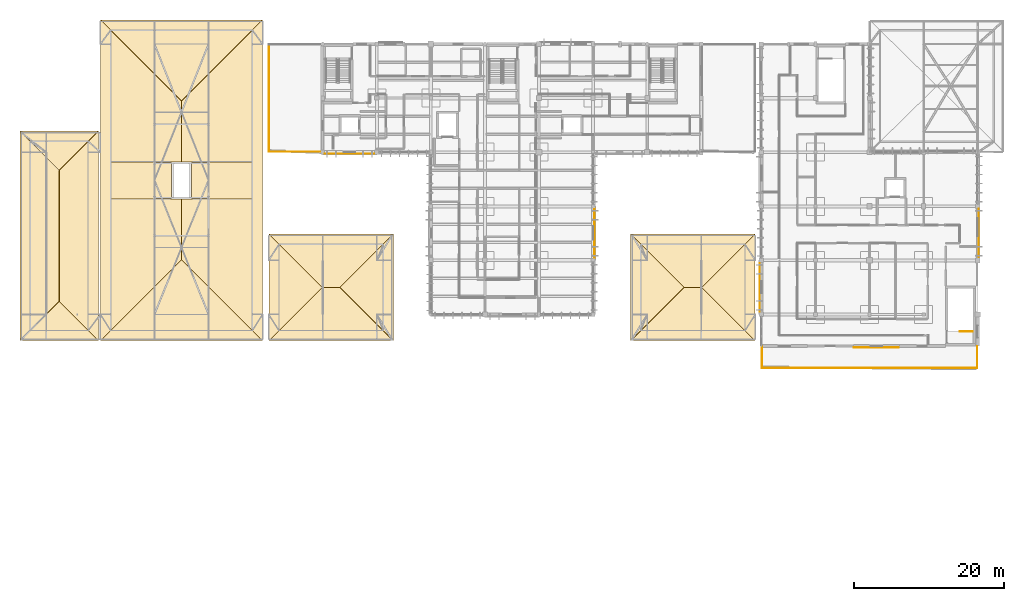
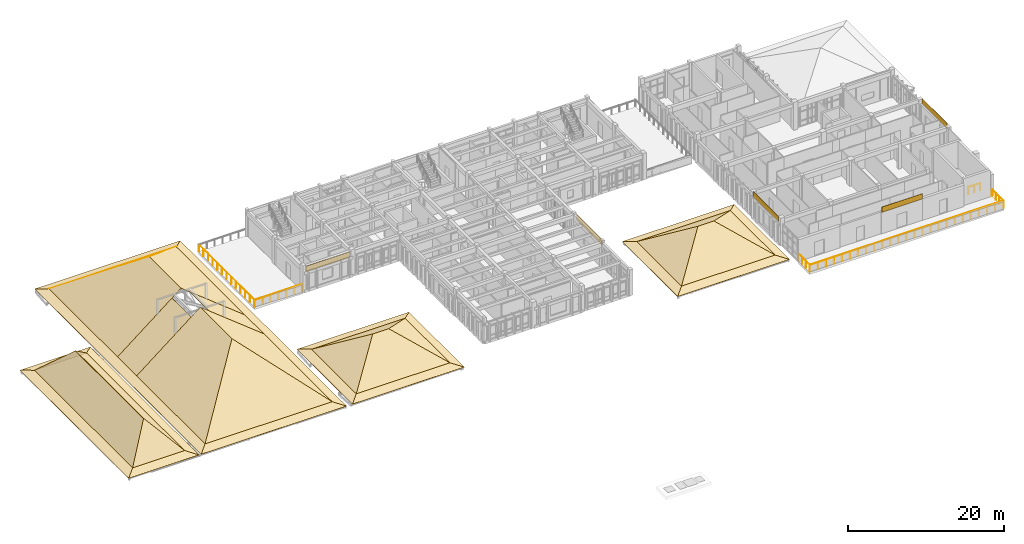
# One storey, part 48 of 51: 41 coverings, 6 railings.
"""IFC4 building model written with IfcOpenShell, lengths in metres."""

from ifc_helpers import new_model, si_unit, direction, frame, origin, origin_2d, place, context, subcontext, project, spatial, polyline, rectangle, circle, outline, extrude, material, layer, layer_set, type_object, element, save


model = new_model("IFC4")

# Units and contexts
model_context = context("Model", 3, precision=1e-05, world=origin(), true_north=direction((0.0, 1.0)))
body_context = subcontext(model_context, "Body", "Model", "MODEL_VIEW")
ifc_project = project(units=[si_unit("LENGTHUNIT", "METRE"), si_unit("AREAUNIT", "SQUARE_METRE"), si_unit("VOLUMEUNIT", "CUBIC_METRE"), si_unit("PLANEANGLEUNIT", "RADIAN"), si_unit("MASSUNIT", "GRAM", prefix="KILO")], contexts=[model_context])

# Site, building, storey
site_placement = place(None, origin())
site = spatial("IfcSite", under=ifc_project, at=site_placement, CompositionType="ELEMENT")
building_placement = place(site_placement, origin())
building = spatial("IfcBuilding", under=site, at=building_placement, Name="Steenspoor Specialist Clinic", CompositionType="ELEMENT")
storey_placement = place(building_placement, frame((0.0, 0.0, 17.39990234375)))
storey = spatial("IfcBuildingStorey", under=building, at=storey_placement, Name="L04", CompositionType="ELEMENT", Elevation=17.39990234375)

# Coverings
ifc_material_1 = material(Name="Glulam GL28h timber screen louvre cladding", Category="wood")
ifc_layer_1 = layer(ifc_material_1, 0.044921875)
ifc_layer_set_1 = layer_set([ifc_layer_1], Name="Glulam GL28h timber screen louvre cladding")
covering_type_1 = type_object("IfcCoveringType", Name="COV-CLAD-TIMBER", PredefinedType="CLADDING", material=ifc_layer_set_1)
covering_1_placement = place(storey_placement, frame((63.16259765625, 93.75, 3.0849609375), z_axis=(0.0, 0.0, 1.0), x_axis=(-1.0, 0.0, 0.0)))
element("IfcCovering", 1, at=covering_1_placement, inside=storey, type_object=covering_type_1, Name="Spandrel Cladding 56", PredefinedType="CLADDING", context=body_context, shape_type="SweptSolid", body=[
    extrude(rectangle(XDim=6.554931640625, YDim=0.0400390625, at=origin_2d()), origin(), (0.0, 0.0, 1.0), 0.840087890625),
])
covering_2_placement = place(storey_placement, frame((95.800048828125, 83.16259765625, 3.0849609375), z_axis=(0.0, 0.0, 1.0), x_axis=(0.0, -1.0, 0.0)))
element("IfcCovering", 2, at=covering_2_placement, inside=storey, type_object=covering_type_1, Name="Spandrel Cladding 60", PredefinedType="CLADDING", context=body_context, shape_type="SweptSolid", body=[
    extrude(rectangle(XDim=6.60498046875, YDim=0.0400390625, at=origin_2d()), origin(), (0.0, 0.0, 1.0), 0.840087890625),
])
covering_3_placement = place(storey_placement, frame((146.93994140625, 83.16259765625, 3.365234375), z_axis=(0.0, 0.0, 1.0), x_axis=(0.0, -1.0, 0.0)))
element("IfcCovering", 3, at=covering_3_placement, inside=storey, type_object=covering_type_1, Name="Spandrel Cladding 95", PredefinedType="CLADDING", context=body_context, shape_type="SweptSolid", body=[
    extrude(rectangle(XDim=6.455078125, YDim=0.0400390625, at=origin_2d()), origin(), (0.0, 0.0, 1.0), 0.840087890625),
])
covering_4_placement = place(storey_placement, frame((133.3125, 67.949951171875, 3.365234375), z_axis=(0.0, 0.0, 1.0), x_axis=(-1.0, 0.0, 0.0)))
element("IfcCovering", 4, at=covering_4_placement, inside=storey, type_object=covering_type_1, Name="Spandrel Cladding 96", PredefinedType="CLADDING", context=body_context, shape_type="SweptSolid", body=[
    extrude(rectangle(XDim=6.0048828125, YDim=0.0400390625, at=origin_2d()), origin(), (0.0, 0.0, 1.0), 0.840087890625),
])
covering_5_placement = place(storey_placement, frame((117.784912109375, 75.949951171875, 3.365234375), z_axis=(0.0, 0.0, 1.0), x_axis=(0.0, 1.0, 0.0)))
element("IfcCovering", 5, at=covering_5_placement, inside=storey, type_object=covering_type_1, Name="Spandrel Cladding 97", PredefinedType="CLADDING", context=body_context, shape_type="SweptSolid", body=[
    extrude(rectangle(XDim=6.47998046875, YDim=0.0400390625, at=origin_2d()), origin(), (0.0, 0.0, 1.0), 0.840087890625),
])
ifc_material_2 = material(Name="Extruded terracotta clay roof tile", Category="masonry")
ifc_layer_2 = layer(ifc_material_2, 0.044921875)
ifc_layer_set_2 = layer_set([ifc_layer_2], Name="Extruded terracotta clay roof tile")
covering_type_2 = type_object("IfcCoveringType", Name="COV-ROOF-TILE", PredefinedType="ROOFING", material=ifc_layer_set_2)
covering_6_placement = place(storey_placement, frame((52.429931640625, 68.85009765625, 0.048095703125), z_axis=(0.0, -0.241998799207, 0.970276548816), x_axis=(1.0, 0.0, 0.0)))
element("IfcCovering", 6, at=covering_6_placement, inside=storey, type_object=covering_type_2, Name="Clay Tile Roofing V4T2W SKS", PredefinedType="ROOFING", context=body_context, shape_type="SweptSolid", body=[
    extrude(outline(polyline([(0.0, 0.0), (16.570068359375, 0.0), (15.219970703125, 1.3912049273706915), (1.35009765625, 1.3912049273706915), (0.0, 0.0)])), origin(), (0.0, 0.0, -1.0), 0.044921875),
])
covering_7_placement = place(storey_placement, frame((69.0, 83.050048828125, 0.048095703125), z_axis=(0.0, 0.241957600267, 0.970286823405), x_axis=(-1.0, 0.0, 0.0)))
element("IfcCovering", 7, at=covering_7_placement, inside=storey, type_object=covering_type_2, Name="Clay Tile Roofing V4T2W SKN", PredefinedType="ROOFING", context=body_context, shape_type="SweptSolid", body=[
    extrude(outline(polyline([(0.0, 0.0), (16.570068359375, 0.0), (15.219970703125, 1.3914418125480712), (1.35009765625, 1.3914418125480712), (0.0, 0.0)])), origin(), (0.0, 0.0, -1.0), 0.044921875),
])
covering_8_placement = place(storey_placement, frame((52.429931640625, 83.050048828125, 0.048095703125), z_axis=(-0.241957600267, 0.0, 0.970286823405), x_axis=(0.0, -1.0, 0.0)))
element("IfcCovering", 8, at=covering_8_placement, inside=storey, type_object=covering_type_2, Name="Clay Tile Roofing V4T2W SKW", PredefinedType="ROOFING", context=body_context, shape_type="SweptSolid", body=[
    extrude(outline(polyline([(0.0, 0.0), (14.199951171875, 0.0), (12.85009765625, 1.3914418125480714), (1.35009765625, 1.3914418125480714), (0.0, 0.0)])), origin(), (0.0, 0.0, -1.0), 0.044921875),
])
covering_9_placement = place(storey_placement, frame((69.0, 68.85009765625, 0.048095703125), z_axis=(0.241957600267, 0.0, 0.970286823405), x_axis=(0.0, 1.0, 0.0)))
element("IfcCovering", 9, at=covering_9_placement, inside=storey, type_object=covering_type_2, Name="Clay Tile Roofing V4T2W SKE", PredefinedType="ROOFING", context=body_context, shape_type="SweptSolid", body=[
    extrude(outline(polyline([(0.0, 0.0), (14.199951171875, 0.0), (12.849853515625, 1.3914418125480714), (1.349853515625, 1.3914418125480714), (0.0, 0.0)])), origin(), (0.0, 0.0, -1.0), 0.044921875),
])
for number, where, z_axis, x_axis, name in (
    (10, (53.780029296875, 70.199951171875, 0.384765625), (0.0, -0.557689574854, 0.830049599783), (1.0, 0.0, 0.0), "Clay Tile Roofing V4T2W S"),
    (11, (67.64990234375, 81.699951171875, 0.384765625), (0.0, 0.557689574854, 0.830049599783), (-1.0, 0.0, 0.0), "Clay Tile Roofing V4T2W N"),
):
    element("IfcCovering", number, at=place(storey_placement, frame(where, z_axis=z_axis, x_axis=x_axis)), inside=storey, type_object=covering_type_2, Name=name, PredefinedType="ROOFING", context=body_context, shape_type="SweptSolid", body=[
        extrude(outline(polyline([(0.0, 0.0), (13.869873046875, 0.0), (8.119873046875, 6.9272968766035685), (5.75, 6.9272968766035685), (0.0, 0.0)])), origin(), (0.0, 0.0, -1.0), 0.044921875),
    ])
for number, where, z_axis, x_axis, name in (
    (12, (53.780029296875, 81.699951171875, 0.384765625), (-0.557689574854, 0.0, 0.830049599783), (0.0, -1.0, 0.0), "Clay Tile Roofing V4T2W W"),
    (13, (67.64990234375, 70.199951171875, 0.384765625), (0.557689574854, 0.0, 0.830049599783), (0.0, 1.0, 0.0), "Clay Tile Roofing V4T2W E"),
):
    element("IfcCovering", number, at=place(storey_placement, frame(where, z_axis=z_axis, x_axis=x_axis)), inside=storey, type_object=covering_type_2, Name=name, PredefinedType="ROOFING", context=body_context, shape_type="SweptSolid", body=[
        extrude(outline(polyline([(0.0, 0.0), (11.5, 0.0), (5.75, 6.9272968766035685), (0.0, 0.0)])), origin(), (0.0, 0.0, -1.0), 0.044921875),
    ])
covering_10_placement = place(storey_placement, frame((100.60009765625, 68.85009765625, 0.048095703125), z_axis=(0.0, -0.241998799207, 0.970276548816), x_axis=(1.0, 0.0, 0.0)))
element("IfcCovering", 14, at=covering_10_placement, inside=storey, type_object=covering_type_2, Name="Clay Tile Roofing V4T2E SKS", PredefinedType="ROOFING", context=body_context, shape_type="SweptSolid", body=[
    extrude(outline(polyline([(0.0, 0.0), (16.56982421875, 0.0), (15.219970703125, 1.3912049273706915), (1.349853515625, 1.3912049273706915), (0.0, 0.0)])), origin(), (0.0, 0.0, -1.0), 0.044921875),
])
covering_11_placement = place(storey_placement, frame((117.169921875, 83.050048828125, 0.048095703125), z_axis=(0.0, 0.241957600267, 0.970286823405), x_axis=(-1.0, 0.0, 0.0)))
element("IfcCovering", 15, at=covering_11_placement, inside=storey, type_object=covering_type_2, Name="Clay Tile Roofing V4T2E SKN", PredefinedType="ROOFING", context=body_context, shape_type="SweptSolid", body=[
    extrude(outline(polyline([(0.0, 0.0), (16.56982421875, 0.0), (15.219970703125, 1.3914418125480712), (1.349853515625, 1.3914418125480712), (0.0, 0.0)])), origin(), (0.0, 0.0, -1.0), 0.044921875),
])
covering_12_placement = place(storey_placement, frame((100.60009765625, 83.050048828125, 0.048095703125), z_axis=(-0.241998799207, 0.0, 0.970276548816), x_axis=(0.0, -1.0, 0.0)))
element("IfcCovering", 16, at=covering_12_placement, inside=storey, type_object=covering_type_2, Name="Clay Tile Roofing V4T2E SKW", PredefinedType="ROOFING", context=body_context, shape_type="SweptSolid", body=[
    extrude(outline(polyline([(0.0, 0.0), (14.199951171875, 0.0), (12.85009765625, 1.3912049273706915), (1.35009765625, 1.3912049273706915), (0.0, 0.0)])), origin(), (0.0, 0.0, -1.0), 0.044921875),
])
covering_13_placement = place(storey_placement, frame((117.169921875, 68.85009765625, 0.048095703125), z_axis=(0.241998799207, 0.0, 0.970276548816), x_axis=(0.0, 1.0, 0.0)))
element("IfcCovering", 17, at=covering_13_placement, inside=storey, type_object=covering_type_2, Name="Clay Tile Roofing V4T2E SKE", PredefinedType="ROOFING", context=body_context, shape_type="SweptSolid", body=[
    extrude(outline(polyline([(0.0, 0.0), (14.199951171875, 0.0), (12.849853515625, 1.3912049273706915), (1.349853515625, 1.3912049273706915), (0.0, 0.0)])), origin(), (0.0, 0.0, -1.0), 0.044921875),
])
for number, where, z_axis, x_axis, name in (
    (18, (101.949951171875, 70.199951171875, 0.384765625), (0.0, -0.557689574854, 0.830049599783), (1.0, 0.0, 0.0), "Clay Tile Roofing V4T2E S"),
    (19, (115.820068359375, 81.699951171875, 0.384765625), (0.0, 0.557689574854, 0.830049599783), (-1.0, 0.0, 0.0), "Clay Tile Roofing V4T2E N"),
):
    element("IfcCovering", number, at=place(storey_placement, frame(where, z_axis=z_axis, x_axis=x_axis)), inside=storey, type_object=covering_type_2, Name=name, PredefinedType="ROOFING", context=body_context, shape_type="SweptSolid", body=[
        extrude(outline(polyline([(0.0, 0.0), (13.8701171875, 0.0), (8.1201171875, 6.9272968766035685), (5.75, 6.9272968766035685), (0.0, 0.0)])), origin(), (0.0, 0.0, -1.0), 0.044921875),
    ])
for number, where, z_axis, x_axis, name in (
    (20, (101.949951171875, 81.699951171875, 0.384765625), (-0.557689574854, 0.0, 0.830049599783), (0.0, -1.0, 0.0), "Clay Tile Roofing V4T2E W"),
    (21, (115.820068359375, 70.199951171875, 0.384765625), (0.557689574854, 0.0, 0.830049599783), (0.0, 1.0, 0.0), "Clay Tile Roofing V4T2E E"),
):
    element("IfcCovering", number, at=place(storey_placement, frame(where, z_axis=z_axis, x_axis=x_axis)), inside=storey, type_object=covering_type_2, Name=name, PredefinedType="ROOFING", context=body_context, shape_type="SweptSolid", body=[
        extrude(outline(polyline([(0.0, 0.0), (11.5, 0.0), (5.75, 6.9272968766035685), (0.0, 0.0)])), origin(), (0.0, 0.0, -1.0), 0.044921875),
    ])
covering_14_placement = place(storey_placement, frame((30.030029296875, 68.85009765625, 0.048095703125), z_axis=(0.0, -0.241998799207, 0.970276548816), x_axis=(1.0, 0.0, 0.0)))
element("IfcCovering", 22, at=covering_14_placement, inside=storey, type_object=covering_type_2, Name="Clay Tile Roofing V5 SKS", PredefinedType="ROOFING", context=body_context, shape_type="SweptSolid", body=[
    extrude(outline(polyline([(0.0, 0.0), (21.5400390625, 0.0), (20.18994140625, 1.3912049273706915), (1.349853515625, 1.3912049273706915), (0.0, 0.0)])), origin(), (0.0, 0.0, -1.0), 0.044921875),
])
covering_15_placement = place(storey_placement, frame((51.570068359375, 111.550048828125, 0.048095703125), z_axis=(0.0, 0.241957600267, 0.970286823405), x_axis=(-1.0, 0.0, 0.0)))
element("IfcCovering", 23, at=covering_15_placement, inside=storey, type_object=covering_type_2, Name="Clay Tile Roofing V5 SKN", PredefinedType="ROOFING", context=body_context, shape_type="SweptSolid", body=[
    extrude(outline(polyline([(0.0, 0.0), (21.5400390625, 0.0), (20.190185546875, 1.391441812548071), (1.35009765625, 1.391441812548071), (0.0, 0.0)])), origin(), (0.0, 0.0, -1.0), 0.044921875),
])
covering_16_placement = place(storey_placement, frame((30.030029296875, 111.550048828125, 0.048095703125), z_axis=(-0.241998799207, 0.0, 0.970276548816), x_axis=(0.0, -1.0, 0.0)))
element("IfcCovering", 24, at=covering_16_placement, inside=storey, type_object=covering_type_2, Name="Clay Tile Roofing V5 SKW", PredefinedType="ROOFING", context=body_context, shape_type="SweptSolid", body=[
    extrude(outline(polyline([(0.0, 0.0), (42.699951171875, 0.0), (41.35009765625, 1.3912049273706915), (1.35009765625, 1.3912049273706915), (0.0, 0.0)])), origin(), (0.0, 0.0, -1.0), 0.044921875),
])
covering_17_placement = place(storey_placement, frame((51.570068359375, 68.85009765625, 0.048095703125), z_axis=(0.241957600267, 0.0, 0.970286823405), x_axis=(0.0, 1.0, 0.0)))
element("IfcCovering", 25, at=covering_17_placement, inside=storey, type_object=covering_type_2, Name="Clay Tile Roofing V5 SKE", PredefinedType="ROOFING", context=body_context, shape_type="SweptSolid", body=[
    extrude(outline(polyline([(0.0, 0.0), (42.699951171875, 0.0), (41.349853515625, 1.391441812548071), (1.349853515625, 1.391441812548071), (0.0, 0.0)])), origin(), (0.0, 0.0, -1.0), 0.044921875),
])
covering_18_placement = place(storey_placement, frame((40.800048828125, 87.75, 7.84814453125), z_axis=(-0.620996878224, 0.0, 0.783813037169), x_axis=(-0.783813037169, 0.0, -0.620996878224)))
element("IfcCovering", 26, at=covering_18_placement, inside=storey, type_object=covering_type_2, Name="Clay Tile Roofing V5 W1", PredefinedType="ROOFING", context=body_context, shape_type="SweptSolid", body=[
    extrude(outline(polyline([(0.0, 0.0), (12.018383937127057, 0.0), (12.018383937127057, 17.550048828125), (0.0, 8.1298828125), (0.0, 0.0)])), origin(), (0.0, 0.0, -1.0), 0.044921875),
])
covering_19_placement = place(storey_placement, frame((31.3798828125, 92.64990234375, 0.384765625), z_axis=(-0.620996878224, 0.0, 0.783813037169), x_axis=(0.783813037169, 0.0, 0.620996878224)))
element("IfcCovering", 27, at=covering_19_placement, inside=storey, type_object=covering_type_2, Name="Clay Tile Roofing V5 W2", PredefinedType="ROOFING", context=body_context, shape_type="SweptSolid", body=[
    extrude(outline(polyline([(0.0, 0.0), (12.018383937127057, 0.0), (12.018383937127057, 8.130126953125), (0.0, 17.550048828125), (0.0, 0.0)])), origin(), (0.0, 0.0, -1.0), 0.044921875),
])
covering_20_placement = place(storey_placement, frame((31.3798828125, 87.75, 0.384765625), z_axis=(-0.621001112491, 0.0, 0.783809682439), x_axis=(0.783809682439, 0.0, 0.621001112491)))
element("IfcCovering", 28, at=covering_20_placement, inside=storey, type_object=covering_type_2, Name="Clay Tile Roofing V5 W3", PredefinedType="ROOFING", context=body_context, shape_type="SweptSolid", body=[
    extrude(outline(polyline([(0.0, 0.0), (10.295953903331062, 0.0), (10.295953903331062, 4.89990234375), (0.0, 4.89990234375), (0.0, 0.0)])), origin(), (0.0, 0.0, -1.0), 0.044921875),
])
covering_21_placement = place(storey_placement, frame((50.219970703125, 87.75, 0.384765625), z_axis=(0.621006766045, 0.0, 0.783805203176), x_axis=(-0.783805203176, 0.0, 0.621006766045)))
element("IfcCovering", 29, at=covering_21_placement, inside=storey, type_object=covering_type_2, Name="Clay Tile Roofing V5 E1", PredefinedType="ROOFING", context=body_context, shape_type="SweptSolid", body=[
    extrude(outline(polyline([(0.0, 0.0), (12.018192577478569, 0.0), (12.018192577478569, 8.129882812499998), (0.0, 17.550048828124996), (0.0, 0.0)])), origin(), (0.0, 0.0, -1.0), 0.044921875),
])
covering_22_placement = place(storey_placement, frame((40.800048828125, 92.64990234375, 7.84814453125), z_axis=(0.621006766045, 0.0, 0.783805203176), x_axis=(0.783805203176, 0.0, -0.621006766045)))
element("IfcCovering", 30, at=covering_22_placement, inside=storey, type_object=covering_type_2, Name="Clay Tile Roofing V5 E2", PredefinedType="ROOFING", context=body_context, shape_type="SweptSolid", body=[
    extrude(outline(polyline([(0.0, 0.0), (12.018192577478569, 0.0), (12.018192577478569, 17.550048828125), (0.0, 8.130126953125), (0.0, 0.0)])), origin(), (0.0, 0.0, -1.0), 0.044921875),
])
covering_23_placement = place(storey_placement, frame((50.219970703125, 92.64990234375, 0.384765625), z_axis=(0.621001112491, 0.0, 0.783809682439), x_axis=(-0.783809682439, 0.0, 0.621001112491)))
element("IfcCovering", 31, at=covering_23_placement, inside=storey, type_object=covering_type_2, Name="Clay Tile Roofing V5 E3", PredefinedType="ROOFING", context=body_context, shape_type="SweptSolid", body=[
    extrude(outline(polyline([(0.0, 0.0), (10.295953903331062, 0.0), (10.295953903331062, 4.89990234375), (0.0, 4.89990234375), (0.0, 0.0)])), origin(), (0.0, 0.0, -1.0), 0.044921875),
])
covering_24_placement = place(storey_placement, frame((31.3798828125, 70.199951171875, 0.384765625), z_axis=(0.0, -0.620996878224, 0.783813037169), x_axis=(1.0, 0.0, 0.0)))
element("IfcCovering", 32, at=covering_24_placement, inside=storey, type_object=covering_type_2, Name="Clay Tile Roofing V5 S", PredefinedType="ROOFING", context=body_context, shape_type="SweptSolid", body=[
    extrude(outline(polyline([(0.0, 0.0), (18.840087890625, 0.0), (9.420166015625, 12.018383937127055), (0.0, 0.0)])), origin(), (0.0, 0.0, -1.0), 0.044921875),
])
covering_25_placement = place(storey_placement, frame((50.219970703125, 110.199951171875, 0.384765625), z_axis=(0.0, 0.621006766045, 0.783805203176), x_axis=(-1.0, 0.0, 0.0)))
element("IfcCovering", 33, at=covering_25_placement, inside=storey, type_object=covering_type_2, Name="Clay Tile Roofing V5 N", PredefinedType="ROOFING", context=body_context, shape_type="SweptSolid", body=[
    extrude(outline(polyline([(0.0, 0.0), (18.840087890625, 0.0), (9.419921875, 12.018192577478569), (0.0, 0.0)])), origin(), (0.0, 0.0, -1.0), 0.044921875),
])
covering_26_placement = place(storey_placement, frame((19.300048828125, 68.85009765625, 0.048095703125), z_axis=(0.0, -0.241998799207, 0.970276548816), x_axis=(1.0, 0.0, 0.0)))
element("IfcCovering", 34, at=covering_26_placement, inside=storey, type_object=covering_type_2, Name="Clay Tile Roofing V5W SKS", PredefinedType="ROOFING", context=body_context, shape_type="SweptSolid", body=[
    extrude(outline(polyline([(0.0, 0.0), (10.419921875, 0.0), (9.070068359375, 1.3912049273706915), (1.349853515625, 1.3912049273706915), (0.0, 0.0)])), origin(), (0.0, 0.0, -1.0), 0.044921875),
])
covering_27_placement = place(storey_placement, frame((29.719970703125, 96.75, 0.048095703125), z_axis=(0.0, 0.241957600267, 0.970286823405), x_axis=(-1.0, 0.0, 0.0)))
element("IfcCovering", 35, at=covering_27_placement, inside=storey, type_object=covering_type_2, Name="Clay Tile Roofing V5W SKN", PredefinedType="ROOFING", context=body_context, shape_type="SweptSolid", body=[
    extrude(outline(polyline([(0.0, 0.0), (10.419921875, 0.0), (9.070068359375, 1.3914418125480714), (1.349853515625, 1.3914418125480714), (0.0, 0.0)])), origin(), (0.0, 0.0, -1.0), 0.044921875),
])
covering_28_placement = place(storey_placement, frame((19.300048828125, 96.75, 0.048095703125), z_axis=(-0.241998799207, 0.0, 0.970276548816), x_axis=(0.0, -1.0, 0.0)))
element("IfcCovering", 36, at=covering_28_placement, inside=storey, type_object=covering_type_2, Name="Clay Tile Roofing V5W SKW", PredefinedType="ROOFING", context=body_context, shape_type="SweptSolid", body=[
    extrude(outline(polyline([(0.0, 0.0), (27.89990234375, 0.0), (26.550048828125, 1.3912049273706915), (1.35009765625, 1.3912049273706915), (0.0, 0.0)])), origin(), (0.0, 0.0, -1.0), 0.044921875),
])
covering_29_placement = place(storey_placement, frame((29.719970703125, 68.85009765625, 0.048095703125), z_axis=(0.241998799207, 0.0, 0.970276548816), x_axis=(0.0, 1.0, 0.0)))
element("IfcCovering", 37, at=covering_29_placement, inside=storey, type_object=covering_type_2, Name="Clay Tile Roofing V5W SKE", PredefinedType="ROOFING", context=body_context, shape_type="SweptSolid", body=[
    extrude(outline(polyline([(0.0, 0.0), (27.89990234375, 0.0), (26.5498046875, 1.3912049273706915), (1.349853515625, 1.3912049273706915), (0.0, 0.0)])), origin(), (0.0, 0.0, -1.0), 0.044921875),
])
covering_30_placement = place(storey_placement, frame((20.64990234375, 95.39990234375, 0.384765625), z_axis=(-0.724996170757, 0.0, 0.688752896464), x_axis=(0.0, -1.0, 0.0)))
element("IfcCovering", 38, at=covering_30_placement, inside=storey, type_object=covering_type_2, Name="Clay Tile Roofing V5W W", PredefinedType="ROOFING", context=body_context, shape_type="SweptSolid", body=[
    extrude(outline(polyline([(0.0, 0.0), (25.199951171875, 0.0), (21.33984375, 5.604488114234041), (3.85986328125, 5.604488114234041), (0.0, 0.0)])), origin(), (0.0, 0.0, -1.0), 0.044921875),
])
covering_31_placement = place(storey_placement, frame((28.3701171875, 70.199951171875, 0.384765625), z_axis=(0.724996170757, 0.0, 0.688752896464), x_axis=(0.0, 1.0, 0.0)))
element("IfcCovering", 39, at=covering_31_placement, inside=storey, type_object=covering_type_2, Name="Clay Tile Roofing V5W E", PredefinedType="ROOFING", context=body_context, shape_type="SweptSolid", body=[
    extrude(outline(polyline([(0.0, 0.0), (25.199951171875, 0.0), (21.340087890625, 5.604488114234041), (3.860107421875, 5.604488114234041), (0.0, 0.0)])), origin(), (0.0, 0.0, -1.0), 0.044921875),
])
covering_32_placement = place(storey_placement, frame((20.64990234375, 70.199951171875, 0.384765625), z_axis=(0.0, -0.724996170757, 0.688752896464), x_axis=(1.0, 0.0, 0.0)))
element("IfcCovering", 40, at=covering_32_placement, inside=storey, type_object=covering_type_2, Name="Clay Tile Roofing V5W S", PredefinedType="ROOFING", context=body_context, shape_type="SweptSolid", body=[
    extrude(outline(polyline([(0.0, 0.0), (7.72021484375, 0.0), (3.860107421875, 5.604488114234041), (0.0, 0.0)])), origin(), (0.0, 0.0, -1.0), 0.044921875),
])
covering_33_placement = place(storey_placement, frame((28.3701171875, 95.39990234375, 0.384765625), z_axis=(0.0, 0.725017923252, 0.688729998594), x_axis=(-1.0, 0.0, 0.0)))
element("IfcCovering", 41, at=covering_33_placement, inside=storey, type_object=covering_type_2, Name="Clay Tile Roofing V5W N", PredefinedType="ROOFING", context=body_context, shape_type="SweptSolid", body=[
    extrude(outline(polyline([(0.0, 0.0), (7.72021484375, 0.0), (3.860107421875, 5.604319964466536), (0.0, 0.0)])), origin(), (0.0, 0.0, -1.0), 0.044921875),
])

# Railings
ifc_material_3 = material(Name="Galvanised architectural steel exterior guard", Category="steel")
railing_type_1 = type_object("IfcRailingType", Name="RAIL-EGUARD-1100", PredefinedType="GUARDRAIL", material=ifc_material_3)
railing_1_placement = place(storey_placement, frame((52.4599609375, 94.010009765625, 0.0)))
element("IfcRailing", 42, at=railing_1_placement, inside=storey, type_object=railing_type_1, Name="Terrace Perimeter Guard 7", PredefinedType="GUARDRAIL", context=body_context, shape_type="SweptSolid", body=[
    extrude(circle(Radius=0.02392578125, at=origin_2d()), frame((0.0, 0.0, 1.09619140625), z_axis=(1.0, 0.0, 0.0), x_axis=(0.0, 1.0, 0.0)), (0.0, 0.0, 1.0), 7.080078125),
    extrude(circle(Radius=0.02099609375, at=origin_2d()), origin(), (0.0, 0.0, 1.0), 1.072021484375),
    extrude(circle(Radius=0.02099609375, at=origin_2d()), frame((1.179931640625, 0.0, 0.0)), (0.0, 0.0, 1.0), 1.072021484375),
    extrude(circle(Radius=0.02099609375, at=origin_2d()), frame((2.360107421875, 0.0, 0.0)), (0.0, 0.0, 1.0), 1.072021484375),
    extrude(circle(Radius=0.02099609375, at=origin_2d()), frame((3.5400390625, 0.0, 0.0)), (0.0, 0.0, 1.0), 1.072021484375),
    extrude(circle(Radius=0.02099609375, at=origin_2d()), frame((4.719970703125, 0.0, 0.0)), (0.0, 0.0, 1.0), 1.072021484375),
    extrude(circle(Radius=0.02099609375, at=origin_2d()), frame((5.900146484375, 0.0, 0.0)), (0.0, 0.0, 1.0), 1.072021484375),
    extrude(circle(Radius=0.02099609375, at=origin_2d()), frame((7.080078125, 0.0, 0.0)), (0.0, 0.0, 1.0), 1.072021484375),
])
railing_2_placement = place(storey_placement, frame((52.4599609375, 108.2900390625, 0.0)))
element("IfcRailing", 43, at=railing_2_placement, inside=storey, type_object=railing_type_1, Name="Terrace Perimeter Guard 9", PredefinedType="GUARDRAIL", context=body_context, shape_type="SweptSolid", body=[
    extrude(circle(Radius=0.02392578125, at=origin_2d()), frame((0.0, 0.0, 1.09619140625), z_axis=(0.0, -1.0, 0.0), x_axis=(1.0, 0.0, 0.0)), (0.0, 0.0, 1.0), 14.280029296875),
    extrude(circle(Radius=0.02099609375, at=origin_2d()), origin(), (0.0, 0.0, 1.0), 1.072021484375),
    extrude(circle(Radius=0.02099609375, at=origin_2d()), frame((0.0, -1.18994140625, 0.0)), (0.0, 0.0, 1.0), 1.072021484375),
    extrude(circle(Radius=0.02099609375, at=origin_2d()), frame((0.0, -2.3798828125, 0.0)), (0.0, 0.0, 1.0), 1.072021484375),
    extrude(circle(Radius=0.02099609375, at=origin_2d()), frame((0.0, -3.570068359375, 0.0)), (0.0, 0.0, 1.0), 1.072021484375),
    extrude(circle(Radius=0.02099609375, at=origin_2d()), frame((0.0, -4.760009765625, 0.0)), (0.0, 0.0, 1.0), 1.072021484375),
    extrude(circle(Radius=0.02099609375, at=origin_2d()), frame((0.0, -5.949951171875, 0.0)), (0.0, 0.0, 1.0), 1.072021484375),
    extrude(circle(Radius=0.02099609375, at=origin_2d()), frame((0.0, -7.14013671875, 0.0)), (0.0, 0.0, 1.0), 1.072021484375),
    extrude(circle(Radius=0.02099609375, at=origin_2d()), frame((0.0, -8.330078125, 0.0)), (0.0, 0.0, 1.0), 1.072021484375),
    extrude(circle(Radius=0.02099609375, at=origin_2d()), frame((0.0, -9.52001953125, 0.0)), (0.0, 0.0, 1.0), 1.072021484375),
    extrude(circle(Radius=0.02099609375, at=origin_2d()), frame((0.0, -10.7099609375, 0.0)), (0.0, 0.0, 1.0), 1.072021484375),
    extrude(circle(Radius=0.02099609375, at=origin_2d()), frame((0.0, -11.89990234375, 0.0)), (0.0, 0.0, 1.0), 1.072021484375),
    extrude(circle(Radius=0.02099609375, at=origin_2d()), frame((0.0, -13.090087890625, 0.0)), (0.0, 0.0, 1.0), 1.072021484375),
    extrude(circle(Radius=0.02099609375, at=origin_2d()), frame((0.0, -14.280029296875, 0.0)), (0.0, 0.0, 1.0), 1.072021484375),
])
railing_3_placement = place(storey_placement, frame((118.06005859375, 65.2099609375, 0.0)))
element("IfcRailing", 44, at=railing_3_placement, inside=storey, type_object=railing_type_1, Name="Terrace Perimeter Guard 28", PredefinedType="GUARDRAIL", context=body_context, shape_type="SweptSolid", body=[
    extrude(circle(Radius=0.02392578125, at=origin_2d()), frame((0.0, 0.0, 1.09619140625), z_axis=(1.0, 0.0, 0.0), x_axis=(0.0, 1.0, 0.0)), (0.0, 0.0, 1.0), 28.679931640625),
    extrude(circle(Radius=0.02099609375, at=origin_2d()), origin(), (0.0, 0.0, 1.0), 1.072021484375),
    extrude(circle(Radius=0.02099609375, at=origin_2d()), frame((1.195068359375, 0.0, 0.0)), (0.0, 0.0, 1.0), 1.072021484375),
    extrude(circle(Radius=0.02099609375, at=origin_2d()), frame((2.389892578125, 0.0, 0.0)), (0.0, 0.0, 1.0), 1.072021484375),
    extrude(circle(Radius=0.02099609375, at=origin_2d()), frame((3.5849609375, 0.0, 0.0)), (0.0, 0.0, 1.0), 1.072021484375),
    extrude(circle(Radius=0.02099609375, at=origin_2d()), frame((4.780029296875, 0.0, 0.0)), (0.0, 0.0, 1.0), 1.072021484375),
    extrude(circle(Radius=0.02099609375, at=origin_2d()), frame((5.97509765625, 0.0, 0.0)), (0.0, 0.0, 1.0), 1.072021484375),
    extrude(circle(Radius=0.02099609375, at=origin_2d()), frame((7.169921875, 0.0, 0.0)), (0.0, 0.0, 1.0), 1.072021484375),
    extrude(circle(Radius=0.02099609375, at=origin_2d()), frame((8.364990234375, 0.0, 0.0)), (0.0, 0.0, 1.0), 1.072021484375),
    extrude(circle(Radius=0.02099609375, at=origin_2d()), frame((9.56005859375, 0.0, 0.0)), (0.0, 0.0, 1.0), 1.072021484375),
    extrude(circle(Radius=0.02099609375, at=origin_2d()), frame((10.7548828125, 0.0, 0.0)), (0.0, 0.0, 1.0), 1.072021484375),
    extrude(circle(Radius=0.02099609375, at=origin_2d()), frame((11.949951171875, 0.0, 0.0)), (0.0, 0.0, 1.0), 1.072021484375),
    extrude(circle(Radius=0.02099609375, at=origin_2d()), frame((13.14501953125, 0.0, 0.0)), (0.0, 0.0, 1.0), 1.072021484375),
    extrude(circle(Radius=0.02099609375, at=origin_2d()), frame((14.33984375, 0.0, 0.0)), (0.0, 0.0, 1.0), 1.072021484375),
    extrude(circle(Radius=0.02099609375, at=origin_2d()), frame((15.534912109375, 0.0, 0.0)), (0.0, 0.0, 1.0), 1.072021484375),
    extrude(circle(Radius=0.02099609375, at=origin_2d()), frame((16.72998046875, 0.0, 0.0)), (0.0, 0.0, 1.0), 1.072021484375),
    extrude(circle(Radius=0.02099609375, at=origin_2d()), frame((17.925048828125, 0.0, 0.0)), (0.0, 0.0, 1.0), 1.072021484375),
    extrude(circle(Radius=0.02099609375, at=origin_2d()), frame((19.119873046875, 0.0, 0.0)), (0.0, 0.0, 1.0), 1.072021484375),
    extrude(circle(Radius=0.02099609375, at=origin_2d()), frame((20.31494140625, 0.0, 0.0)), (0.0, 0.0, 1.0), 1.072021484375),
    extrude(circle(Radius=0.02099609375, at=origin_2d()), frame((21.510009765625, 0.0, 0.0)), (0.0, 0.0, 1.0), 1.072021484375),
    extrude(circle(Radius=0.02099609375, at=origin_2d()), frame((22.704833984375, 0.0, 0.0)), (0.0, 0.0, 1.0), 1.072021484375),
    extrude(circle(Radius=0.02099609375, at=origin_2d()), frame((23.89990234375, 0.0, 0.0)), (0.0, 0.0, 1.0), 1.072021484375),
    extrude(circle(Radius=0.02099609375, at=origin_2d()), frame((25.094970703125, 0.0, 0.0)), (0.0, 0.0, 1.0), 1.072021484375),
    extrude(circle(Radius=0.02099609375, at=origin_2d()), frame((26.2900390625, 0.0, 0.0)), (0.0, 0.0, 1.0), 1.072021484375),
    extrude(circle(Radius=0.02099609375, at=origin_2d()), frame((27.48486328125, 0.0, 0.0)), (0.0, 0.0, 1.0), 1.072021484375),
    extrude(circle(Radius=0.02099609375, at=origin_2d()), frame((28.679931640625, 0.0, 0.0)), (0.0, 0.0, 1.0), 1.072021484375),
])
railing_4_placement = place(storey_placement, frame((146.739990234375, 65.2099609375, 0.0)))
element("IfcRailing", 45, at=railing_4_placement, inside=storey, type_object=railing_type_1, Name="Terrace Perimeter Guard 29", PredefinedType="GUARDRAIL", context=body_context, shape_type="SweptSolid", body=[
    extrude(circle(Radius=0.02392578125, at=origin_2d()), frame((0.0, 0.0, 1.09619140625), z_axis=(0.0, 1.0, 0.0), x_axis=(-1.0, 0.0, 0.0)), (0.0, 0.0, 1.0), 2.880126953125),
    extrude(circle(Radius=0.02099609375, at=origin_2d()), origin(), (0.0, 0.0, 1.0), 1.072021484375),
    extrude(circle(Radius=0.02099609375, at=origin_2d()), frame((0.0, 0.9599609375, 0.0)), (0.0, 0.0, 1.0), 1.072021484375),
    extrude(circle(Radius=0.02099609375, at=origin_2d()), frame((0.0, 1.920166015625, 0.0)), (0.0, 0.0, 1.0), 1.072021484375),
    extrude(circle(Radius=0.02099609375, at=origin_2d()), frame((0.0, 2.880126953125, 0.0)), (0.0, 0.0, 1.0), 1.072021484375),
])
railing_5_placement = place(storey_placement, frame((118.06005859375, 68.090087890625, 0.0)))
element("IfcRailing", 46, at=railing_5_placement, inside=storey, type_object=railing_type_1, Name="Terrace Perimeter Guard 30", PredefinedType="GUARDRAIL", context=body_context, shape_type="SweptSolid", body=[
    extrude(circle(Radius=0.02392578125, at=origin_2d()), frame((0.0, 0.0, 1.09619140625), z_axis=(0.0, -1.0, 0.0), x_axis=(1.0, 0.0, 0.0)), (0.0, 0.0, 1.0), 2.880126953125),
    extrude(circle(Radius=0.02099609375, at=origin_2d()), origin(), (0.0, 0.0, 1.0), 1.072021484375),
    extrude(circle(Radius=0.02099609375, at=origin_2d()), frame((0.0, -0.9599609375, 0.0)), (0.0, 0.0, 1.0), 1.072021484375),
    extrude(circle(Radius=0.02099609375, at=origin_2d()), frame((0.0, -1.920166015625, 0.0)), (0.0, 0.0, 1.0), 1.072021484375),
    extrude(circle(Radius=0.02099609375, at=origin_2d()), frame((0.0, -2.880126953125, 0.0)), (0.0, 0.0, 1.0), 1.072021484375),
])
ifc_material_4 = material(Name="Painted architectural steel balustrade", Category="steel")
railing_type_2 = type_object("IfcRailingType", Name="RAIL-GUARD-1100", PredefinedType="GUARDRAIL", material=ifc_material_4)
railing_6_placement = place(storey_placement, frame((146.14990234375, 70.10009765625, 0.0)))
element("IfcRailing", 47, at=railing_6_placement, inside=storey, type_object=railing_type_2, Name="L04 ST-V6B top well guard 1", PredefinedType="GUARDRAIL", context=body_context, shape_type="SweptSolid", body=[
    extrude(circle(Radius=0.02392578125, at=origin_2d()), frame((0.0, 0.0, 1.076171875), z_axis=(-1.0, 0.0, 0.0), x_axis=(0.0, -1.0, 0.0)), (0.0, 0.0, 1.0), 1.75),
    extrude(circle(Radius=0.02099609375, at=origin_2d()), origin(), (0.0, 0.0, 1.0), 1.052001953125),
    extrude(circle(Radius=0.02099609375, at=origin_2d()), frame((-0.875, 0.0, 0.0)), (0.0, 0.0, 1.0), 1.052001953125),
    extrude(circle(Radius=0.02099609375, at=origin_2d()), frame((-1.75, 0.0, 0.0)), (0.0, 0.0, 1.0), 1.052001953125),
])

save(model, "model.ifc")
